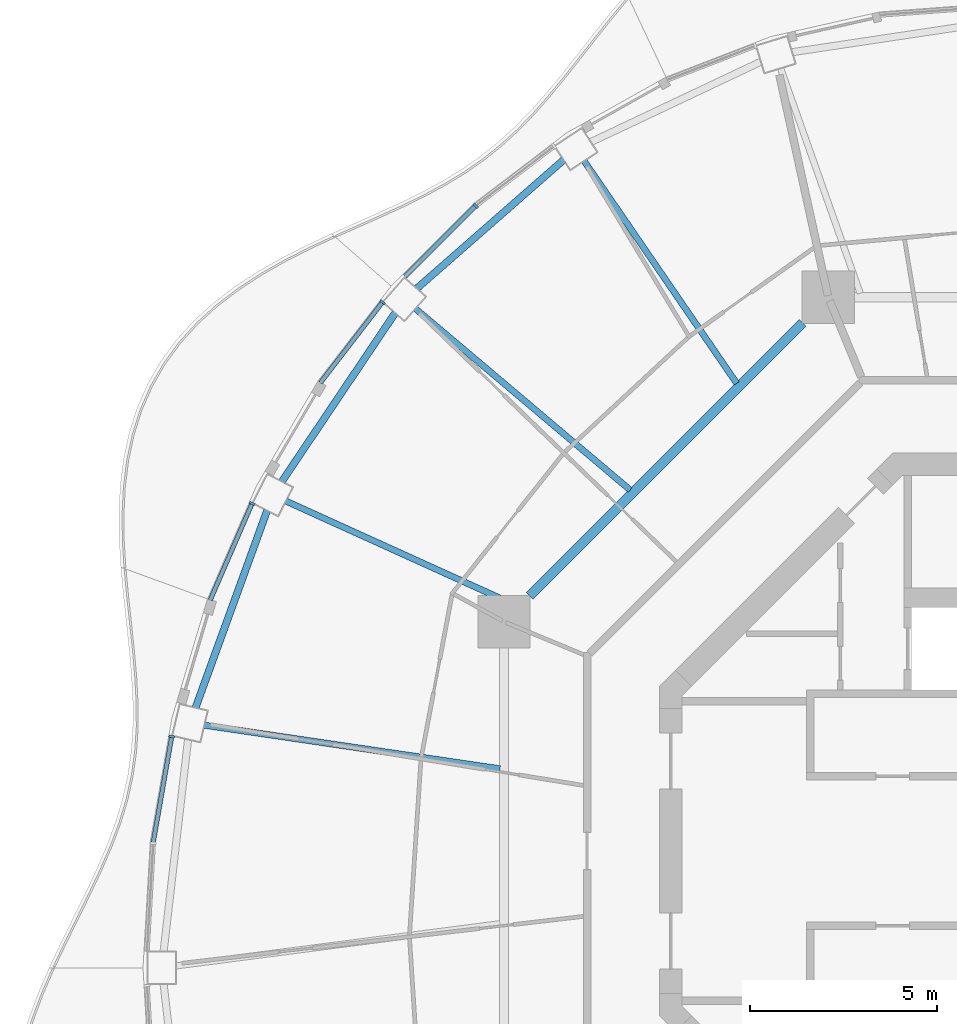
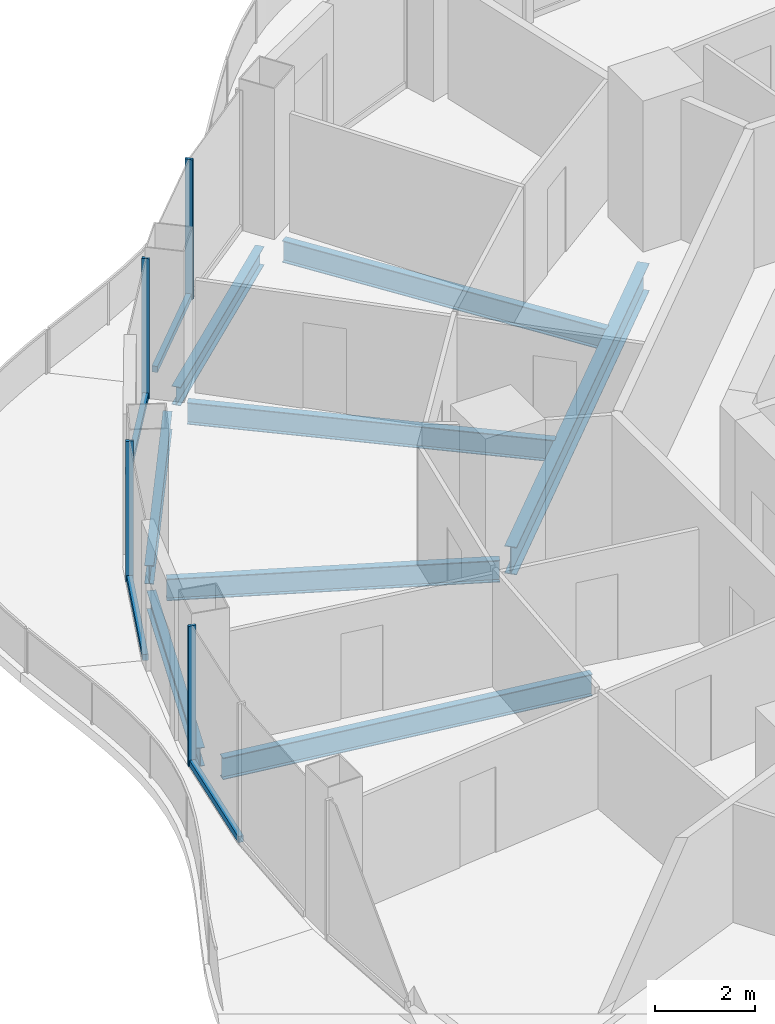
# One storey, part 5 of 17: 8 beams, 8 members, 4 elements without a shape of their own.
"""IFC4 building model written with IfcOpenShell, lengths in metres."""

from ifc_helpers import new_model, si_unit, direction, frame, origin, origin_2d, place, context, subcontext, project, spatial, rectangle, i_section, extrude, material, layer, layer_set, material_profile, profile_set, type_object, element, aggregate, save


model = new_model("IFC4")

# Units and contexts
model_context = context("Model", 3, precision=1e-05, world=origin(), true_north=direction((0.0, 1.0)))
body_context = subcontext(model_context, "Body", "Model", "MODEL_VIEW")
ifc_project = project(units=[si_unit("LENGTHUNIT", "METRE"), si_unit("AREAUNIT", "SQUARE_METRE"), si_unit("VOLUMEUNIT", "CUBIC_METRE"), si_unit("PLANEANGLEUNIT", "RADIAN"), si_unit("MASSUNIT", "GRAM", prefix="KILO")], contexts=[model_context])

# Site, building, storey
site_placement = place(None, origin())
site = spatial("IfcSite", under=ifc_project, at=site_placement, CompositionType="ELEMENT")
building_placement = place(site_placement, origin())
building = spatial("IfcBuilding", under=site, at=building_placement, Name="Nagisa Residences", CompositionType="ELEMENT")
storey_placement = place(building_placement, frame((0.0, 0.0, 280.699951171875)))
storey = spatial("IfcBuildingStorey", under=building, at=storey_placement, Name="L71", CompositionType="ELEMENT", Elevation=280.699951171875)

# Curtain wall, member
ifc_material_1 = material(Name="Concrete-coloured aluminium curtain wall system", Category="concrete")
ifc_layer = layer(ifc_material_1, 0.159912109375)
ifc_layer_set = layer_set([ifc_layer], Name="CW1 CURTAIN WALL")
curtain_wall_type = type_object("IfcCurtainWallType", Name="CW1 CURTAIN WALL", PredefinedType="NOTDEFINED", material=ifc_layer_set)
curtain_wall_1_placement = place(storey_placement, origin())
curtain_wall_1 = element("IfcCurtainWall", 1, at=curtain_wall_1_placement, inside=storey, type_object=curtain_wall_type, Name="cw:CW1:L71:17", PredefinedType="NOTDEFINED")
ifc_material_2 = material(Name="Concrete-coloured aluminium", Category="concrete")
ifc_material_profile_1 = material_profile(ifc_material_2, rectangle(XDim=0.159912109375, YDim=0.06005859375, at=origin_2d()), Name="CW1 MULLION 160x60")
ifc_profile_set_1 = profile_set([ifc_material_profile_1], Name="Concrete-coloured aluminium")
member_type_1 = type_object("IfcMemberType", Name="CW1 MULLION 160x60", PredefinedType="MULLION", material=ifc_profile_set_1)
member_1_placement = place(storey_placement, frame((-15.534912109375, 17.225341796875, 0.0), z_axis=(0.0, 0.0, 1.0), x_axis=(0.706376885714, -0.707835924016, 0.0)))
member_1 = element("IfcMember", 2, at=member_1_placement, type_object=member_type_1, Name="CW1 mullion", PredefinedType="MULLION", context=body_context, shape_type="SweptSolid", body=[
    extrude(rectangle(XDim=0.159912109375, YDim=0.06005859375, at=origin_2d()), origin(), (0.0, 0.0, 1.0), 3.43994140625),
])

curtain_wall_2_placement = place(storey_placement, origin())
curtain_wall_2 = element("IfcCurtainWall", 3, at=curtain_wall_2_placement, inside=storey, type_object=curtain_wall_type, Name="cw:CW1:L71:18", PredefinedType="NOTDEFINED")
member_2_placement = place(storey_placement, frame((-18.0244140625, 14.654296875, 0.0), z_axis=(0.0, 0.0, 1.0), x_axis=(0.792070340816, -0.610429828235, 0.0)))
member_2 = element("IfcMember", 4, at=member_2_placement, type_object=member_type_1, Name="CW1 mullion", PredefinedType="MULLION", context=body_context, shape_type="SweptSolid", body=[
    extrude(rectangle(XDim=0.159912109375, YDim=0.06005859375, at=origin_2d()), origin(), (0.0, 0.0, 1.0), 3.43994140625),
])

curtain_wall_3_placement = place(storey_placement, origin())
curtain_wall_3 = element("IfcCurtainWall", 5, at=curtain_wall_3_placement, inside=storey, type_object=curtain_wall_type, Name="cw:CW1:L71:20", PredefinedType="NOTDEFINED")
member_3_placement = place(storey_placement, frame((-21.5068359375, 9.280029296875, 0.0), z_axis=(0.0, 0.0, 1.0), x_axis=(0.917543276295, -0.397635934147, 0.0)))
member_3 = element("IfcMember", 6, at=member_3_placement, type_object=member_type_1, Name="CW1 mullion", PredefinedType="MULLION", context=body_context, shape_type="SweptSolid", body=[
    extrude(rectangle(XDim=0.159912109375, YDim=0.06005859375, at=origin_2d()), origin(), (0.0, 0.0, 1.0), 3.43994140625),
])

curtain_wall_4_placement = place(storey_placement, origin())
curtain_wall_4 = element("IfcCurtainWall", 7, at=curtain_wall_4_placement, inside=storey, type_object=curtain_wall_type, Name="cw:CW1:L71:22", PredefinedType="NOTDEFINED")
member_4_placement = place(storey_placement, frame((-23.653076171875, 3.0576171875, 0.0), z_axis=(0.0, 0.0, 1.0), x_axis=(0.985063604377, -0.172190868898, 0.0)))
member_4 = element("IfcMember", 8, at=member_4_placement, type_object=member_type_1, Name="CW1 mullion", PredefinedType="MULLION", context=body_context, shape_type="SweptSolid", body=[
    extrude(rectangle(XDim=0.159912109375, YDim=0.06005859375, at=origin_2d()), origin(), (0.0, 0.0, 1.0), 3.43994140625),
])

# Member
ifc_material_3 = material(Name="Concrete-coloured aluminium", Category="concrete")
ifc_material_profile_2 = material_profile(ifc_material_3, rectangle(XDim=0.1201171875, YDim=0.14990234375, at=origin_2d()), Name="CW1 TRANSOM 120x150")
ifc_profile_set_2 = profile_set([ifc_material_profile_2], Name="Concrete-coloured aluminium")
member_type_2 = type_object("IfcMemberType", Name="CW1 TRANSOM 120x150", PredefinedType="USERDEFINED", material=ifc_profile_set_2)
member_5_placement = place(storey_placement, frame((-15.513671875, 17.24658203125, 0.074951171875), z_axis=(-0.707831739508, -0.706381078841, 0.0), x_axis=(0.706381078841, -0.707831739508, 0.0)))
member_5 = element("IfcMember", 9, at=member_5_placement, type_object=member_type_2, Name="CW1 transom", ObjectType="TRANSOM", PredefinedType="USERDEFINED", context=body_context, shape_type="SweptSolid", body=[
    extrude(rectangle(XDim=0.1201171875, YDim=0.14990234375, at=origin_2d()), origin(), (0.0, 0.0, 1.0), 2.692626953125),
])

aggregate(curtain_wall_1, [member_1, member_5])

member_6_placement = place(storey_placement, frame((-18.006103515625, 14.677978515625, 0.074951171875), z_axis=(-0.610432336622, -0.792068407656, 0.0), x_axis=(0.792068407656, -0.610432336622, 0.0)))
member_6 = element("IfcMember", 10, at=member_6_placement, type_object=member_type_2, Name="CW1 transom", ObjectType="TRANSOM", PredefinedType="USERDEFINED", context=body_context, shape_type="SweptSolid", body=[
    extrude(rectangle(XDim=0.1201171875, YDim=0.14990234375, at=origin_2d()), origin(), (0.0, 0.0, 1.0), 2.74609375),
])

aggregate(curtain_wall_2, [member_2, member_6])

member_7_placement = place(storey_placement, frame((-21.4951171875, 9.3076171875, 0.074951171875), z_axis=(-0.397597791596, -0.9175598052, 0.0), x_axis=(0.9175598052, -0.397597791596, 0.0)))
member_7 = element("IfcMember", 11, at=member_7_placement, type_object=member_type_2, Name="CW1 transom", ObjectType="TRANSOM", PredefinedType="USERDEFINED", context=body_context, shape_type="SweptSolid", body=[
    extrude(rectangle(XDim=0.1201171875, YDim=0.14990234375, at=origin_2d()), origin(), (0.0, 0.0, 1.0), 2.841064453125),
])

aggregate(curtain_wall_3, [member_3, member_7])

member_8_placement = place(storey_placement, frame((-23.64794921875, 3.087158203125, 0.074951171875), z_axis=(-0.172196679668, -0.985062588626, 0.0), x_axis=(0.985062588626, -0.172196679668, 0.0)))
member_8 = element("IfcMember", 12, at=member_8_placement, type_object=member_type_2, Name="CW1 transom", ObjectType="TRANSOM", PredefinedType="USERDEFINED", context=body_context, shape_type="SweptSolid", body=[
    extrude(rectangle(XDim=0.1201171875, YDim=0.14990234375, at=origin_2d()), origin(), (0.0, 0.0, 1.0), 2.90234375),
])

aggregate(curtain_wall_4, [member_4, member_8])

# Beams
ifc_material_4 = material(Name="Steel ASTM A572 Gr 50", Category="steel")
ifc_material_profile_3 = material_profile(ifc_material_4, i_section(OverallWidth=0.2529296875, OverallDepth=0.677978515625, WebThickness=0.01171875, FlangeThickness=0.016357421875, at=origin_2d()), Name="W690x125")
ifc_profile_set_3 = profile_set([ifc_material_profile_3], Name="Steel ASTM A572 Gr 50")
beam_type_1 = type_object("IfcBeamType", Name="Inner ring beam W690x125", PredefinedType="BEAM", material=ifc_profile_set_3)
beam_1_placement = place(storey_placement, frame((-6.808837890625, 14.09619140625, -0.598876953125), z_axis=(-0.707106781187, -0.707106781187, 0.0), x_axis=(0.707106781187, -0.707106781187, 0.0)))
element("IfcBeam", 13, at=beam_1_placement, inside=storey, type_object=beam_type_1, Name="beam:L71:ib3", PredefinedType="BEAM", context=body_context, shape_type="SweptSolid", body=[
    extrude(i_section(OverallWidth=0.2529296875, OverallDepth=0.677978515625, WebThickness=0.01171875, FlangeThickness=0.016357421875, at=origin_2d()), origin(), (0.0, 0.0, 1.0), 10.305908203125),
])
ifc_material_5 = material(Name="Steel ASTM A572 Gr 50", Category="steel")
ifc_material_profile_4 = material_profile(ifc_material_5, i_section(OverallWidth=0.18994140625, OverallDepth=0.45703125, WebThickness=0.009033203125, FlangeThickness=0.014404296875, at=origin_2d()), Name="W460x74")
ifc_profile_set_4 = profile_set([ifc_material_profile_4], Name="Steel ASTM A572 Gr 50")
beam_type_2 = type_object("IfcBeamType", Name="Perimeter ring beam W460x74", PredefinedType="BEAM", material=ifc_profile_set_4)
beam_2_placement = place(storey_placement, frame((-13.186767578125, 18.45458984375, -0.488525390625), z_axis=(-0.752365189148, -0.658746250204, 0.0), x_axis=(0.658746250204, -0.752365189148, 0.0)))
element("IfcBeam", 14, at=beam_2_placement, inside=storey, type_object=beam_type_2, Name="beam:L71:pb09", PredefinedType="BEAM", context=body_context, shape_type="SweptSolid", body=[
    extrude(i_section(OverallWidth=0.18994140625, OverallDepth=0.45703125, WebThickness=0.009033203125, FlangeThickness=0.014404296875, at=origin_2d()), origin(), (0.0, 0.0, 1.0), 5.220947265625),
])
beam_3_placement = place(storey_placement, frame((-17.683349609375, 14.36962890625, -0.488525390625), z_axis=(-0.558035477156, -0.829817092036, 0.0), x_axis=(0.829817092036, -0.558035477156, 0.0)))
element("IfcBeam", 15, at=beam_3_placement, inside=storey, type_object=beam_type_2, Name="beam:L71:pb10", PredefinedType="BEAM", context=body_context, shape_type="SweptSolid", body=[
    extrude(i_section(OverallWidth=0.18994140625, OverallDepth=0.45703125, WebThickness=0.009033203125, FlangeThickness=0.014404296875, at=origin_2d()), origin(), (0.0, 0.0, 1.0), 5.431884765625),
])
beam_4_placement = place(storey_placement, frame((-21.104248046875, 9.094970703125, -0.488525390625), z_axis=(-0.341250304478, -0.9399724622, 0.0), x_axis=(0.9399724622, -0.341250304478, 0.0)))
element("IfcBeam", 16, at=beam_4_placement, inside=storey, type_object=beam_type_2, Name="beam:L71:pb11", PredefinedType="BEAM", context=body_context, shape_type="SweptSolid", body=[
    extrude(i_section(OverallWidth=0.18994140625, OverallDepth=0.45703125, WebThickness=0.009033203125, FlangeThickness=0.014404296875, at=origin_2d()), origin(), (0.0, 0.0, 1.0), 5.609619140625),
])
ifc_material_6 = material(Name="Steel ASTM A572 Gr 50", Category="steel")
ifc_material_profile_5 = material_profile(ifc_material_6, i_section(OverallWidth=0.166015625, OverallDepth=0.534912109375, WebThickness=0.01025390625, FlangeThickness=0.0166015625, at=origin_2d()), Name="W530x85")
ifc_profile_set_5 = profile_set([ifc_material_profile_5], Name="Steel ASTM A572 Gr 50")
beam_type_3 = type_object("IfcBeamType", Name="Radial beam W530x85", PredefinedType="BEAM", material=ifc_profile_set_5)
beam_5_placement = place(storey_placement, frame((-12.64501953125, 18.427490234375, -0.52734375), z_axis=(0.565802292405, -0.824540942531, 0.0), x_axis=(0.824540942531, 0.565802292405, 0.0)))
element("IfcBeam", 17, at=beam_5_placement, inside=storey, type_object=beam_type_3, Name="beam:L71:rb09", PredefinedType="BEAM", context=body_context, shape_type="SweptSolid", body=[
    extrude(i_section(OverallWidth=0.166015625, OverallDepth=0.534912109375, WebThickness=0.01025390625, FlangeThickness=0.0166015625, at=origin_2d()), origin(), (0.0, 0.0, 1.0), 7.204345703125),
])
beam_6_placement = place(storey_placement, frame((-17.15087890625, 14.484375, -0.52734375), z_axis=(0.764006403763, -0.645208660054, 0.0), x_axis=(0.645208660054, 0.764006403763, 0.0)))
element("IfcBeam", 18, at=beam_6_placement, inside=storey, type_object=beam_type_3, Name="beam:L71:rb10", PredefinedType="BEAM", context=body_context, shape_type="SweptSolid", body=[
    extrude(i_section(OverallWidth=0.166015625, OverallDepth=0.534912109375, WebThickness=0.01025390625, FlangeThickness=0.0166015625, at=origin_2d()), origin(), (0.0, 0.0, 1.0), 7.50732421875),
])
beam_7_placement = place(storey_placement, frame((-20.610107421875, 9.34521484375, -0.52734375), z_axis=(0.910751667619, -0.412954476824, 0.0), x_axis=(0.412954476824, 0.910751667619, 0.0)))
element("IfcBeam", 19, at=beam_7_placement, inside=storey, type_object=beam_type_3, Name="beam:L71:rb11", PredefinedType="BEAM", context=body_context, shape_type="SweptSolid", body=[
    extrude(i_section(OverallWidth=0.166015625, OverallDepth=0.534912109375, WebThickness=0.01025390625, FlangeThickness=0.0166015625, at=origin_2d()), origin(), (0.0, 0.0, 1.0), 6.721923828125),
])
beam_8_placement = place(storey_placement, frame((-22.788818359375, 3.359375, -0.52734375), z_axis=(0.989309244243, -0.145832846968, 0.0), x_axis=(0.145832846968, 0.989309244243, 0.0)))
element("IfcBeam", 20, at=beam_8_placement, inside=storey, type_object=beam_type_3, Name="beam:L71:rb12", PredefinedType="BEAM", context=body_context, shape_type="SweptSolid", body=[
    extrude(i_section(OverallWidth=0.166015625, OverallDepth=0.534912109375, WebThickness=0.01025390625, FlangeThickness=0.0166015625, at=origin_2d()), origin(), (0.0, 0.0, 1.0), 7.985595703125),
])

save(model, "model.ifc")
